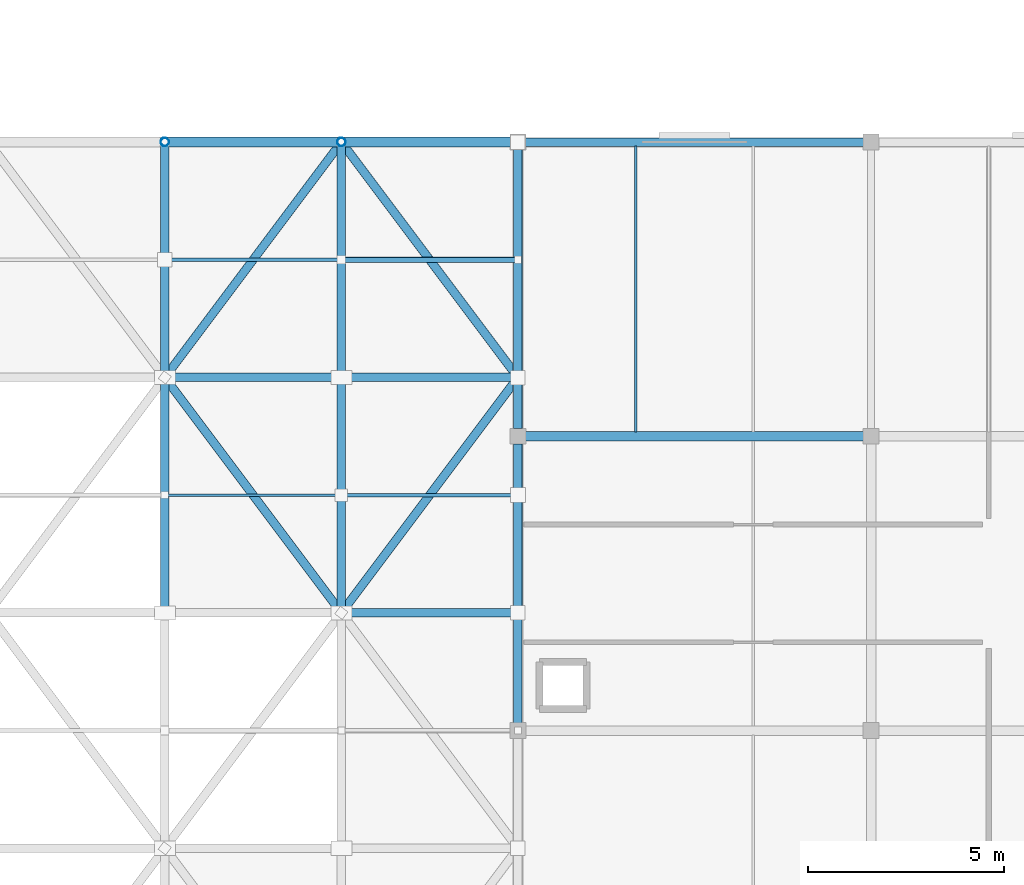
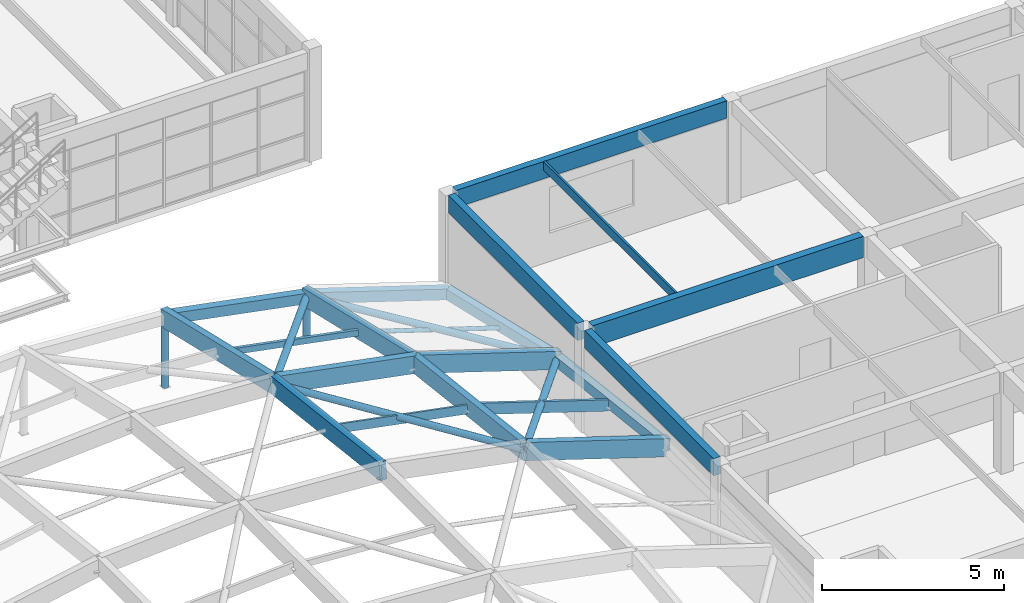
# One storey, part 18 of 81: 21 members, 5 beams.
"""IFC4 building model written with IfcOpenShell, lengths in metres."""

from ifc_helpers import new_model, si_unit, direction, frame, origin, origin_2d, place, context, subcontext, project, spatial, rectangle, hollow_rectangle, hollow_circle, extrude, material, material_profile, profile_set, type_object, element, save


model = new_model("IFC4")

# Units and contexts
model_context = context("Model", 3, precision=1e-05, world=origin(), true_north=direction((0.0, 1.0)))
body_context = subcontext(model_context, "Body", "Model", "MODEL_VIEW")
ifc_project = project(units=[si_unit("LENGTHUNIT", "METRE"), si_unit("AREAUNIT", "SQUARE_METRE"), si_unit("VOLUMEUNIT", "CUBIC_METRE"), si_unit("PLANEANGLEUNIT", "RADIAN"), si_unit("MASSUNIT", "GRAM", prefix="KILO")], contexts=[model_context])

# Site, building, storey
site_placement = place(None, origin())
site = spatial("IfcSite", under=ifc_project, at=site_placement, CompositionType="ELEMENT")
building_placement = place(site_placement, origin())
building = spatial("IfcBuilding", under=site, at=building_placement, Name="Marnridge Secondary College", CompositionType="ELEMENT")
storey_placement = place(building_placement, frame((0.0, 0.0, 8.5)))
storey = spatial("IfcBuildingStorey", under=building, at=storey_placement, Name="L02", CompositionType="ELEMENT", Elevation=8.5)

# Beams
ifc_material_1 = material(Name="Glulam timber GL18", Category="wood")
ifc_material_profile_1 = material_profile(ifc_material_1, rectangle(XDim=0.215087890625, YDim=0.5849609375, at=origin_2d()), Name="GL18 215x585")
ifc_profile_set_1 = profile_set([ifc_material_profile_1], Name="Glulam timber GL18")
beam_type_1 = type_object("IfcBeamType", Name="BM-GL585-EXT", PredefinedType="SPANDREL", material=ifc_profile_set_1)
beam_1_placement = place(storey_placement, frame((90.0, 15.194091796875, 3.12744140625), z_axis=(0.0, 1.0, 0.0), x_axis=(-1.0, 0.0, 0.0)))
element("IfcBeam", 1, at=beam_1_placement, inside=storey, type_object=beam_type_1, Name="Beam BRF-L02-1270", PredefinedType="SPANDREL", context=body_context, shape_type="SweptSolid", body=[
    extrude(rectangle(XDim=0.215087890625, YDim=0.5849609375, at=origin_2d()), origin(), (0.0, 0.0, 1.0), 7.11181640625),
])
beam_2_placement = place(storey_placement, frame((90.194091796875, 30.0, 3.12744140625), z_axis=(1.0, 0.0, 0.0), x_axis=(0.0, 1.0, 0.0)))
element("IfcBeam", 2, at=beam_2_placement, inside=storey, type_object=beam_type_1, Name="Beam BRF-L02-1272", PredefinedType="SPANDREL", context=body_context, shape_type="SweptSolid", body=[
    extrude(rectangle(XDim=0.215087890625, YDim=0.5849609375, at=origin_2d()), origin(), (0.0, 0.0, 1.0), 8.61181640625),
])
beam_3_placement = place(storey_placement, frame((90.0, 22.694091796875, 3.12744140625), z_axis=(0.0, 1.0, 0.0), x_axis=(-1.0, 0.0, 0.0)))
element("IfcBeam", 3, at=beam_3_placement, inside=storey, type_object=beam_type_1, Name="Beam BRF-L02-1273", PredefinedType="SPANDREL", context=body_context, shape_type="SweptSolid", body=[
    extrude(rectangle(XDim=0.215087890625, YDim=0.5849609375, at=origin_2d()), origin(), (0.0, 0.0, 1.0), 7.11181640625),
])
ifc_material_2 = material(Name="Glulam timber GL18", Category="wood")
ifc_material_profile_2 = material_profile(ifc_material_2, rectangle(XDim=0.239990234375, YDim=0.719970703125, at=origin_2d()), Name="GL18 240x720")
ifc_profile_set_2 = profile_set([ifc_material_profile_2], Name="Glulam timber GL18")
beam_type_2 = type_object("IfcBeamType", Name="BM-GL720-INT", PredefinedType="BEAM", material=ifc_profile_set_2)
beam_4_placement = place(storey_placement, frame((90.194091796875, 22.5, 3.06005859375), z_axis=(1.0, 0.0, 0.0), x_axis=(0.0, 1.0, 0.0)))
element("IfcBeam", 4, at=beam_4_placement, inside=storey, type_object=beam_type_2, Name="Beam BRF-L02-1269", PredefinedType="BEAM", context=body_context, shape_type="SweptSolid", body=[
    extrude(rectangle(XDim=0.239990234375, YDim=0.719970703125, at=origin_2d()), origin(), (0.0, 0.0, 1.0), 8.61181640625),
])
ifc_material_3 = material(Name="Engineered timber LVL E13.2", Category="wood")
ifc_material_profile_3 = material_profile(ifc_material_3, rectangle(XDim=0.06298828125, YDim=0.300048828125, at=origin_2d()), Name="LVL 63x300")
ifc_profile_set_3 = profile_set([ifc_material_profile_3], Name="Engineered timber LVL E13.2")
beam_type_3 = type_object("IfcBeamType", Name="BM-LVL300-INT", PredefinedType="JOIST", material=ifc_profile_set_3)
beam_5_placement = place(storey_placement, frame((93.0, 22.614013671875, 3.27001953125), z_axis=(0.0, 1.0, 0.0), x_axis=(-1.0, 0.0, 0.0)))
element("IfcBeam", 5, at=beam_5_placement, inside=storey, type_object=beam_type_3, Name="Beam BJ-L02-1297", PredefinedType="JOIST", context=body_context, shape_type="SweptSolid", body=[
    extrude(rectangle(XDim=0.06298828125, YDim=0.300048828125, at=origin_2d()), origin(), (0.0, 0.0, 1.0), 7.284423828125),
])

# Members
ifc_material_4 = material(Name="Cold-formed steel Grade C350L0 (AS/NZS 1163, fy = 350 MPa)", Category="steel")
ifc_material_profile_4 = material_profile(ifc_material_4, hollow_circle(Radius=0.109619140625, WallThickness=0.00830078125, at=origin_2d()), Name="219.1x8.2CHS")
ifc_profile_set_4 = profile_set([ifc_material_profile_4], Name="Cold-formed steel Grade C350L0 (AS/NZS 1163, fy = 350 MPa)")
member_type_1 = type_object("IfcMemberType", Name="MB-GS-CHS219", PredefinedType="BRACE", material=ifc_profile_set_4)
member_1_placement = place(storey_placement, frame((81.0, 30.0, -0.010009765625), z_axis=(0.0, 0.0, 1.0), x_axis=(1.0, 0.0, 0.0)))
element("IfcMember", 6, at=member_1_placement, inside=storey, type_object=member_type_1, Name="Gridshell boundary post GSP-0076", PredefinedType="BRACE", context=body_context, shape_type="SweptSolid", body=[
    extrude(hollow_circle(Radius=0.109619140625, WallThickness=0.00830078125, at=origin_2d()), origin(), (0.0, 0.0, 1.0), 2.341064453125),
])
member_2_placement = place(storey_placement, frame((85.5, 30.0, -0.010009765625), z_axis=(0.0, 0.0, 1.0), x_axis=(1.0, 0.0, 0.0)))
element("IfcMember", 7, at=member_2_placement, inside=storey, type_object=member_type_1, Name="Gridshell boundary post GSP-0078", PredefinedType="BRACE", context=body_context, shape_type="SweptSolid", body=[
    extrude(hollow_circle(Radius=0.109619140625, WallThickness=0.00830078125, at=origin_2d()), origin(), (0.0, 0.0, 1.0), 1.474365234375),
])
member_3_placement = place(storey_placement, frame((85.5, 18.0, 3.556396484375), z_axis=(-0.59985904703, 0.799812062707, 0.021674594473), x_axis=(-0.8, -0.6, 0.0)))
element("IfcMember", 8, at=member_3_placement, inside=storey, type_object=member_type_1, Name="Gridshell member GR-0234", PredefinedType="BRACE", context=body_context, shape_type="SweptSolid", body=[
    extrude(hollow_circle(Radius=0.109619140625, WallThickness=0.00830078125, at=origin_2d()), origin(), (0.0, 0.0, 1.0), 7.501708984375),
])
member_4_placement = place(storey_placement, frame((81.0, 24.0, 3.718994140625), z_axis=(0.574173598669, 0.765564798225, -0.290233041384), x_axis=(-0.8, 0.6, 0.0)))
element("IfcMember", 9, at=member_4_placement, inside=storey, type_object=member_type_1, Name="Gridshell member GR-0235", PredefinedType="BRACE", context=body_context, shape_type="SweptSolid", body=[
    extrude(hollow_circle(Radius=0.109619140625, WallThickness=0.00830078125, at=origin_2d()), origin(), (0.0, 0.0, 1.0), 7.83740234375),
])
member_5_placement = place(storey_placement, frame((85.5, 18.0, 3.556396484375), z_axis=(0.576800867191, 0.769067822921, -0.275382358468), x_axis=(-0.8, 0.6, 0.0)))
element("IfcMember", 10, at=member_5_placement, inside=storey, type_object=member_type_1, Name="Gridshell member GR-0239", PredefinedType="BRACE", context=body_context, shape_type="SweptSolid", body=[
    extrude(hollow_circle(Radius=0.109619140625, WallThickness=0.00830078125, at=origin_2d()), origin(), (0.0, 0.0, 1.0), 7.8017578125),
])
member_6_placement = place(storey_placement, frame((90.0, 24.0, 1.407958984375), z_axis=(-0.599992942617, 0.799990590156, 0.004850203366), x_axis=(-0.8, -0.6, 0.0)))
element("IfcMember", 11, at=member_6_placement, inside=storey, type_object=member_type_1, Name="Gridshell member GR-0240", PredefinedType="BRACE", context=body_context, shape_type="SweptSolid", body=[
    extrude(hollow_circle(Radius=0.109619140625, WallThickness=0.00830078125, at=origin_2d()), origin(), (0.0, 0.0, 1.0), 7.5),
])
ifc_material_5 = material(Name="Glulam timber GL18", Category="wood")
ifc_material_profile_5 = material_profile(ifc_material_5, rectangle(XDim=0.215087890625, YDim=0.5849609375, at=origin_2d()), Name="GL18 215x585")
ifc_profile_set_5 = profile_set([ifc_material_profile_5], Name="Glulam timber GL18")
member_type_2 = type_object("IfcMemberType", Name="MB-GS-GL585", PredefinedType="CHORD", material=ifc_profile_set_5)
member_7_placement = place(storey_placement, frame((81.0, 18.0, 4.423095703125), z_axis=(0.0, 0.993184767812, -0.116550491145), x_axis=(-1.0, 0.0, 0.0)))
element("IfcMember", 12, at=member_7_placement, inside=storey, type_object=member_type_2, Name="Gridshell member GR-0163", PredefinedType="CHORD", context=body_context, shape_type="SweptSolid", body=[
    extrude(rectangle(XDim=0.215087890625, YDim=0.5849609375, at=origin_2d()), origin(), (0.0, 0.0, 1.0), 6.041259765625),
])
member_8_placement = place(storey_placement, frame((81.0, 24.0, 3.718994140625), z_axis=(0.0, 0.973554667504, -0.228454173482), x_axis=(-1.0, 0.0, 0.0)))
element("IfcMember", 13, at=member_8_placement, inside=storey, type_object=member_type_2, Name="Gridshell member GR-0164", PredefinedType="CHORD", context=body_context, shape_type="SweptSolid", body=[
    extrude(rectangle(XDim=0.215087890625, YDim=0.5849609375, at=origin_2d()), origin(), (0.0, 0.0, 1.0), 6.1630859375),
])
member_9_placement = place(storey_placement, frame((85.5, 18.0, 3.556396484375), z_axis=(0.0, 0.993184767812, -0.116550491145), x_axis=(-1.0, 0.0, 0.0)))
element("IfcMember", 14, at=member_9_placement, inside=storey, type_object=member_type_2, Name="Gridshell member GR-0168", PredefinedType="CHORD", context=body_context, shape_type="SweptSolid", body=[
    extrude(rectangle(XDim=0.215087890625, YDim=0.5849609375, at=origin_2d()), origin(), (0.0, 0.0, 1.0), 6.041259765625),
])
member_10_placement = place(storey_placement, frame((85.5, 24.0, 2.852294921875), z_axis=(0.0, 0.973554667504, -0.228454173482), x_axis=(-1.0, 0.0, 0.0)))
element("IfcMember", 15, at=member_10_placement, inside=storey, type_object=member_type_2, Name="Gridshell member GR-0169", PredefinedType="CHORD", context=body_context, shape_type="SweptSolid", body=[
    extrude(rectangle(XDim=0.215087890625, YDim=0.5849609375, at=origin_2d()), origin(), (0.0, 0.0, 1.0), 6.1630859375),
])
member_11_placement = place(storey_placement, frame((85.5, 18.0, 3.556396484375), z_axis=(0.952157472021, 0.0, -0.305607834444), x_axis=(0.0, 1.0, 0.0)))
element("IfcMember", 16, at=member_11_placement, inside=storey, type_object=member_type_2, Name="Gridshell member GR-0198", PredefinedType="CHORD", context=body_context, shape_type="SweptSolid", body=[
    extrude(rectangle(XDim=0.215087890625, YDim=0.5849609375, at=origin_2d()), origin(), (0.0, 0.0, 1.0), 4.72607421875),
])
member_12_placement = place(storey_placement, frame((81.0, 24.0, 3.718994140625), z_axis=(0.981953209644, 0.0, -0.189124017699), x_axis=(0.0, 1.0, 0.0)))
element("IfcMember", 17, at=member_12_placement, inside=storey, type_object=member_type_2, Name="Gridshell member GR-0203", PredefinedType="CHORD", context=body_context, shape_type="SweptSolid", body=[
    extrude(rectangle(XDim=0.215087890625, YDim=0.5849609375, at=origin_2d()), origin(), (0.0, 0.0, 1.0), 4.582763671875),
])
member_13_placement = place(storey_placement, frame((85.5, 24.0, 2.852294921875), z_axis=(0.952157472021, 0.0, -0.305607834444), x_axis=(0.0, 1.0, 0.0)))
element("IfcMember", 18, at=member_13_placement, inside=storey, type_object=member_type_2, Name="Gridshell member GR-0204", PredefinedType="CHORD", context=body_context, shape_type="SweptSolid", body=[
    extrude(rectangle(XDim=0.215087890625, YDim=0.5849609375, at=origin_2d()), origin(), (0.0, 0.0, 1.0), 4.72607421875),
])
ifc_material_6 = material(Name="Cold-formed steel Grade C350L0 (AS/NZS 1163, fy = 350 MPa)", Category="steel")
ifc_material_profile_6 = material_profile(ifc_material_6, hollow_rectangle(XDim=0.25, YDim=0.35009765625, WallThickness=0.010009765625, at=origin_2d()), Name="350x250x10.0RHS")
ifc_profile_set_6 = profile_set([ifc_material_profile_6], Name="Cold-formed steel Grade C350L0 (AS/NZS 1163, fy = 350 MPa)")
member_type_3 = type_object("IfcMemberType", Name="MB-GS-RHS350", PredefinedType="CHORD", material=ifc_profile_set_6)
member_14_placement = place(storey_placement, frame((90.0, 18.0, 2.112060546875), z_axis=(0.0, 0.993184767812, -0.116550491145), x_axis=(-1.0, 0.0, 0.0)))
element("IfcMember", 19, at=member_14_placement, inside=storey, type_object=member_type_3, Name="Gridshell member GR-0173", PredefinedType="CHORD", context=body_context, shape_type="SweptSolid", body=[
    extrude(hollow_rectangle(XDim=0.25, YDim=0.35009765625, WallThickness=0.010009765625, at=origin_2d()), origin(), (0.0, 0.0, 1.0), 6.041259765625),
])
member_15_placement = place(storey_placement, frame((90.0, 24.0, 1.407958984375), z_axis=(0.0, 0.973554667504, -0.228454173482), x_axis=(-1.0, 0.0, 0.0)))
element("IfcMember", 20, at=member_15_placement, inside=storey, type_object=member_type_3, Name="Gridshell member GR-0174", PredefinedType="CHORD", context=body_context, shape_type="SweptSolid", body=[
    extrude(hollow_rectangle(XDim=0.25, YDim=0.35009765625, WallThickness=0.010009765625, at=origin_2d()), origin(), (0.0, 0.0, 1.0), 6.1630859375),
])
member_16_placement = place(storey_placement, frame((81.0, 30.0, 2.31103515625), z_axis=(0.981953209644, 0.0, -0.189124017699), x_axis=(0.0, 1.0, 0.0)))
element("IfcMember", 21, at=member_16_placement, inside=storey, type_object=member_type_3, Name="Gridshell member GR-0209", PredefinedType="CHORD", context=body_context, shape_type="SweptSolid", body=[
    extrude(hollow_rectangle(XDim=0.25, YDim=0.35009765625, WallThickness=0.010009765625, at=origin_2d()), origin(), (0.0, 0.0, 1.0), 4.582763671875),
])
member_17_placement = place(storey_placement, frame((85.5, 30.0, 1.4443359375), z_axis=(0.952157472021, 0.0, -0.305607834444), x_axis=(0.0, 1.0, 0.0)))
element("IfcMember", 22, at=member_17_placement, inside=storey, type_object=member_type_3, Name="Gridshell member GR-0210", PredefinedType="CHORD", context=body_context, shape_type="SweptSolid", body=[
    extrude(hollow_rectangle(XDim=0.25, YDim=0.35009765625, WallThickness=0.010009765625, at=origin_2d()), origin(), (0.0, 0.0, 1.0), 4.72607421875),
])
ifc_material_7 = material(Name="Cold-formed steel Grade C350L0 (AS/NZS 1163, fy = 350 MPa)", Category="steel")
ifc_material_profile_7 = material_profile(ifc_material_7, hollow_circle(Radius=0.06982421875, WallThickness=0.00537109375, at=origin_2d()), Name="139.7x5.4CHS")
ifc_profile_set_7 = profile_set([ifc_material_profile_7], Name="Cold-formed steel Grade C350L0 (AS/NZS 1163, fy = 350 MPa)")
member_type_4 = type_object("IfcMemberType", Name="MB-PR-CHS139", PredefinedType="PURLIN", material=ifc_profile_set_7)
member_18_placement = place(storey_placement, frame((85.5, 27.0, 2.068359375), z_axis=(0.952157472021, 0.0, -0.305607834444), x_axis=(0.0, 1.0, 0.0)))
element("IfcMember", 23, at=member_18_placement, inside=storey, type_object=member_type_4, Name="Gridshell purlin PR-0108", PredefinedType="PURLIN", context=body_context, shape_type="SweptSolid", body=[
    extrude(hollow_circle(Radius=0.06982421875, WallThickness=0.00537109375, at=origin_2d()), origin(), (0.0, 0.0, 1.0), 4.72607421875),
])
ifc_material_8 = material(Name="Engineered timber LVL E13.2", Category="wood")
ifc_material_profile_8 = material_profile(ifc_material_8, rectangle(XDim=0.06298828125, YDim=0.300048828125, at=origin_2d()), Name="LVL 63x300")
ifc_profile_set_8 = profile_set([ifc_material_profile_8], Name="Engineered timber LVL E13.2")
member_type_5 = type_object("IfcMemberType", Name="MB-PR-LVL300", PredefinedType="PURLIN", material=ifc_profile_set_8)
member_19_placement = place(storey_placement, frame((81.0, 21.0, 3.9912109375), z_axis=(0.981953209644, 0.0, -0.189124017699), x_axis=(0.0, 1.0, 0.0)))
element("IfcMember", 24, at=member_19_placement, inside=storey, type_object=member_type_5, Name="Gridshell purlin PR-0102", PredefinedType="PURLIN", context=body_context, shape_type="SweptSolid", body=[
    extrude(rectangle(XDim=0.06298828125, YDim=0.300048828125, at=origin_2d()), origin(), (0.0, 0.0, 1.0), 4.582763671875),
])
ifc_material_9 = material(Name="Engineered timber LVL E13.2", Category="wood")
ifc_material_profile_9 = material_profile(ifc_material_9, rectangle(XDim=0.090087890625, YDim=0.360107421875, at=origin_2d()), Name="LVL 90x360")
ifc_profile_set_9 = profile_set([ifc_material_profile_9], Name="Engineered timber LVL E13.2")
member_type_6 = type_object("IfcMemberType", Name="MB-PR-LVL360", PredefinedType="PURLIN", material=ifc_profile_set_9)
member_20_placement = place(storey_placement, frame((85.5, 21.0, 3.12451171875), z_axis=(0.952142439356, 0.0, -0.30565466654), x_axis=(0.0, 1.0, 0.0)))
element("IfcMember", 25, at=member_20_placement, inside=storey, type_object=member_type_6, Name="Gridshell purlin PR-0107", PredefinedType="PURLIN", context=body_context, shape_type="SweptSolid", body=[
    extrude(rectangle(XDim=0.090087890625, YDim=0.360107421875, at=origin_2d()), origin(), (0.0, 0.0, 1.0), 4.72607421875),
])
ifc_material_10 = material(Name="Cold-formed steel Grade C350L0 (AS/NZS 1163, fy = 350 MPa)", Category="steel")
ifc_material_profile_10 = material_profile(ifc_material_10, hollow_rectangle(XDim=0.10009765625, YDim=0.199951171875, WallThickness=0.006103515625, at=origin_2d()), Name="200x100x6.0RHS")
ifc_profile_set_10 = profile_set([ifc_material_profile_10], Name="Cold-formed steel Grade C350L0 (AS/NZS 1163, fy = 350 MPa)")
member_type_7 = type_object("IfcMemberType", Name="MB-PR-RHS200", PredefinedType="PURLIN", material=ifc_profile_set_10)
member_21_placement = place(storey_placement, frame((81.0, 27.0, 2.93505859375), z_axis=(0.981953209644, 0.0, -0.189124017699), x_axis=(0.0, 1.0, 0.0)))
element("IfcMember", 26, at=member_21_placement, inside=storey, type_object=member_type_7, Name="Gridshell purlin PR-0103", PredefinedType="PURLIN", context=body_context, shape_type="SweptSolid", body=[
    extrude(hollow_rectangle(XDim=0.10009765625, YDim=0.199951171875, WallThickness=0.006103515625, at=origin_2d()), origin(), (0.0, 0.0, 1.0), 4.582763671875),
])

save(model, "model.ifc")
